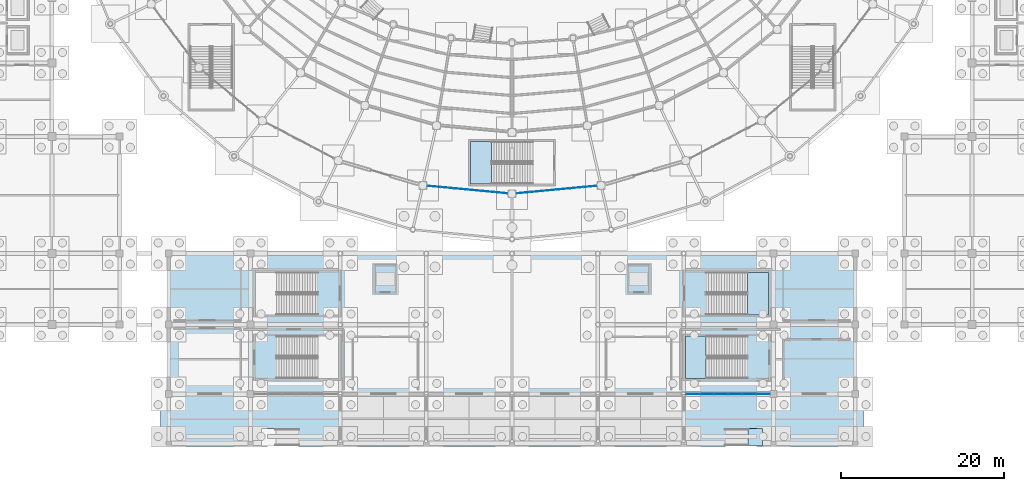
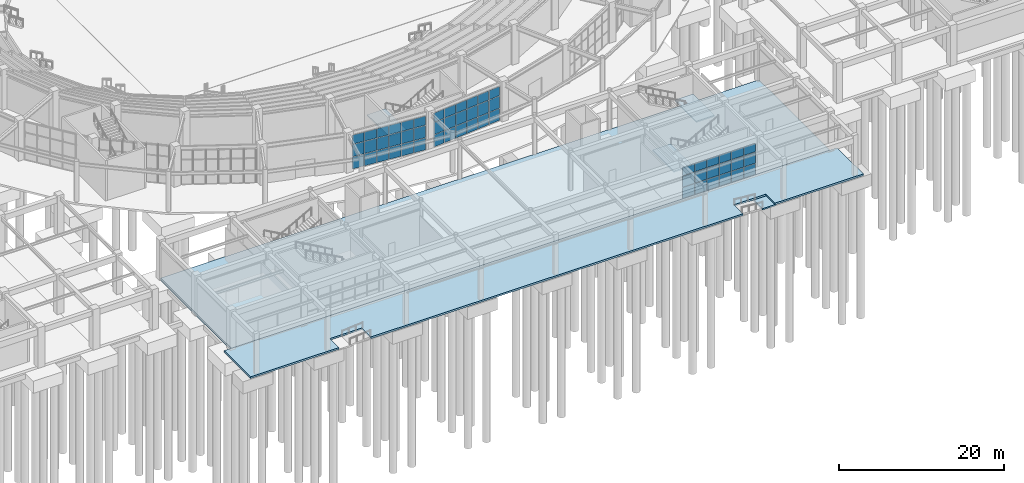
# One storey, part 66 of 121: 54 plates, 6 slabs, 7 elements without a shape of their own.
"""IFC4 building model written with IfcOpenShell, lengths in metres."""

from ifc_helpers import new_model, si_unit, direction, frame, origin, origin_2d, place, context, subcontext, project, spatial, polyline, rectangle, outline, extrude, material, layer, layer_set, type_object, element, aggregate, save


model = new_model("IFC4")

# Units and contexts
model_context = context("Model", 3, precision=1e-05, world=origin(), true_north=direction((0.0, 1.0)))
body_context = subcontext(model_context, "Body", "Model", "MODEL_VIEW")
ifc_project = project(units=[si_unit("LENGTHUNIT", "METRE"), si_unit("AREAUNIT", "SQUARE_METRE"), si_unit("VOLUMEUNIT", "CUBIC_METRE"), si_unit("PLANEANGLEUNIT", "RADIAN"), si_unit("MASSUNIT", "GRAM", prefix="KILO")], contexts=[model_context])

# Site, building, storey
site_placement = place(None, origin())
site = spatial("IfcSite", under=ifc_project, at=site_placement, CompositionType="ELEMENT")
building_placement = place(site_placement, origin())
building = spatial("IfcBuilding", under=site, at=building_placement, Name="Cuetzalor Civic Arena", CompositionType="ELEMENT")
storey_placement = place(building_placement, origin())
storey = spatial("IfcBuildingStorey", under=building, at=storey_placement, Name="L00", CompositionType="ELEMENT", Elevation=0.0)

# Curtain wall, plates
ifc_material_1 = material(Name="Anodised dark bronze aluminium and low-E solar glass", Category="aluminium")
curtain_wall_type_1 = type_object("IfcCurtainWallType", Name="UnitisedCW_9950x5150", PredefinedType="USERDEFINED", material=ifc_material_1)
curtain_wall_1_placement = place(storey_placement, origin())
curtain_wall_1 = element("IfcCurtainWall", 1, at=curtain_wall_1_placement, inside=storey, type_object=curtain_wall_type_1, Name="Drum Ground Recessed Concourse Curtain Wall L00-015", ObjectType="UNITISED CURTAIN WALL", PredefinedType="USERDEFINED")
ifc_material_2 = material(Name="Acoustic laminated solar control glass", Category="glass")
ifc_layer_1 = layer(ifc_material_2, 0.0439453125)
ifc_layer_set_1 = layer_set([ifc_layer_1], Name="Acoustic laminated solar control glass")
plate_type_1 = type_object("IfcPlateType", Name="AcousticTripleGlazedPanel_44", PredefinedType="CURTAIN_PANEL", material=ifc_layer_set_1)
plate_1_placement = place(storey_placement, frame((-1.340576171875, -40.87353515625, 0.070068359375), z_axis=(0.0, 0.0, 1.0), x_axis=(-0.995585155665, 0.093862654023, 0.0)))
plate_1 = element("IfcPlate", 2, at=plate_1_placement, type_object=plate_type_1, Name="CW-05 panel 1.1", PredefinedType="CURTAIN_PANEL", context=body_context, shape_type="SweptSolid", body=[
    extrude(rectangle(XDim=1.5537109375, YDim=0.0439453125, at=origin_2d()), origin(), (0.0, 0.0, 1.0), 1.751953125),
])
plate_2_placement = place(storey_placement, frame((-1.340576171875, -40.87353515625, 1.89208984375), z_axis=(0.0, 0.0, 1.0), x_axis=(-0.995585155665, 0.093862654023, 0.0)))
plate_2 = element("IfcPlate", 3, at=plate_2_placement, type_object=plate_type_1, Name="CW-05 panel 1.2", PredefinedType="CURTAIN_PANEL", context=body_context, shape_type="SweptSolid", body=[
    extrude(rectangle(XDim=1.5537109375, YDim=0.0439453125, at=origin_2d()), origin(), (0.0, 0.0, 1.0), 1.785888671875),
])
plate_3_placement = place(storey_placement, frame((-1.340576171875, -40.87353515625, 3.748046875), z_axis=(0.0, 0.0, 1.0), x_axis=(-0.995585155665, 0.093862654023, 0.0)))
plate_3 = element("IfcPlate", 4, at=plate_3_placement, type_object=plate_type_1, Name="CW-05 panel 1.3", PredefinedType="CURTAIN_PANEL", context=body_context, shape_type="SweptSolid", body=[
    extrude(rectangle(XDim=1.5537109375, YDim=0.0439453125, at=origin_2d()), origin(), (0.0, 0.0, 1.0), 1.339111328125),
])
plate_4_placement = place(storey_placement, frame((-2.974609375, -40.719482421875, 0.070068359375), z_axis=(0.0, 0.0, 1.0), x_axis=(-0.995585155665, 0.093862654023, 0.0)))
plate_4 = element("IfcPlate", 5, at=plate_4_placement, type_object=plate_type_1, Name="CW-05 panel 2.1", PredefinedType="CURTAIN_PANEL", context=body_context, shape_type="SweptSolid", body=[
    extrude(rectangle(XDim=1.5888671875, YDim=0.0439453125, at=origin_2d()), origin(), (0.0, 0.0, 1.0), 1.751953125),
])
plate_5_placement = place(storey_placement, frame((-2.974609375, -40.719482421875, 1.89208984375), z_axis=(0.0, 0.0, 1.0), x_axis=(-0.995585155665, 0.093862654023, 0.0)))
plate_5 = element("IfcPlate", 6, at=plate_5_placement, type_object=plate_type_1, Name="CW-05 panel 2.2", PredefinedType="CURTAIN_PANEL", context=body_context, shape_type="SweptSolid", body=[
    extrude(rectangle(XDim=1.5888671875, YDim=0.0439453125, at=origin_2d()), origin(), (0.0, 0.0, 1.0), 1.785888671875),
])
plate_6_placement = place(storey_placement, frame((-2.974609375, -40.719482421875, 3.748046875), z_axis=(0.0, 0.0, 1.0), x_axis=(-0.995585155665, 0.093862654023, 0.0)))
plate_6 = element("IfcPlate", 7, at=plate_6_placement, type_object=plate_type_1, Name="CW-05 panel 2.3", PredefinedType="CURTAIN_PANEL", context=body_context, shape_type="SweptSolid", body=[
    extrude(rectangle(XDim=1.5888671875, YDim=0.0439453125, at=origin_2d()), origin(), (0.0, 0.0, 1.0), 1.339111328125),
])
plate_7_placement = place(storey_placement, frame((-4.6259765625, -40.56396484375, 0.070068359375), z_axis=(0.0, 0.0, 1.0), x_axis=(-0.995585155665, 0.093862654023, 0.0)))
plate_7 = element("IfcPlate", 8, at=plate_7_placement, type_object=plate_type_1, Name="CW-05 panel 3.1", PredefinedType="CURTAIN_PANEL", context=body_context, shape_type="SweptSolid", body=[
    extrude(rectangle(XDim=1.5888671875, YDim=0.0439453125, at=origin_2d()), origin(), (0.0, 0.0, 1.0), 1.751953125),
])
plate_8_placement = place(storey_placement, frame((-4.6259765625, -40.56396484375, 1.89208984375), z_axis=(0.0, 0.0, 1.0), x_axis=(-0.995585155665, 0.093862654023, 0.0)))
plate_8 = element("IfcPlate", 9, at=plate_8_placement, type_object=plate_type_1, Name="CW-05 panel 3.2", PredefinedType="CURTAIN_PANEL", context=body_context, shape_type="SweptSolid", body=[
    extrude(rectangle(XDim=1.5888671875, YDim=0.0439453125, at=origin_2d()), origin(), (0.0, 0.0, 1.0), 1.785888671875),
])
plate_9_placement = place(storey_placement, frame((-4.6259765625, -40.56396484375, 3.748046875), z_axis=(0.0, 0.0, 1.0), x_axis=(-0.995585155665, 0.093862654023, 0.0)))
plate_9 = element("IfcPlate", 10, at=plate_9_placement, type_object=plate_type_1, Name="CW-05 panel 3.3", PredefinedType="CURTAIN_PANEL", context=body_context, shape_type="SweptSolid", body=[
    extrude(rectangle(XDim=1.5888671875, YDim=0.0439453125, at=origin_2d()), origin(), (0.0, 0.0, 1.0), 1.339111328125),
])
plate_10_placement = place(storey_placement, frame((-6.277587890625, -40.408203125, 0.070068359375), z_axis=(0.0, 0.0, 1.0), x_axis=(-0.995585155665, 0.093862654023, 0.0)))
plate_10 = element("IfcPlate", 11, at=plate_10_placement, type_object=plate_type_1, Name="CW-05 panel 4.1", PredefinedType="CURTAIN_PANEL", context=body_context, shape_type="SweptSolid", body=[
    extrude(rectangle(XDim=1.5888671875, YDim=0.0439453125, at=origin_2d()), origin(), (0.0, 0.0, 1.0), 1.751953125),
])
plate_11_placement = place(storey_placement, frame((-6.277587890625, -40.408203125, 1.89208984375), z_axis=(0.0, 0.0, 1.0), x_axis=(-0.995585155665, 0.093862654023, 0.0)))
plate_11 = element("IfcPlate", 12, at=plate_11_placement, type_object=plate_type_1, Name="CW-05 panel 4.2", PredefinedType="CURTAIN_PANEL", context=body_context, shape_type="SweptSolid", body=[
    extrude(rectangle(XDim=1.5888671875, YDim=0.0439453125, at=origin_2d()), origin(), (0.0, 0.0, 1.0), 1.785888671875),
])
plate_12_placement = place(storey_placement, frame((-6.277587890625, -40.408203125, 3.748046875), z_axis=(0.0, 0.0, 1.0), x_axis=(-0.995585155665, 0.093862654023, 0.0)))
plate_12 = element("IfcPlate", 13, at=plate_12_placement, type_object=plate_type_1, Name="CW-05 panel 4.3", PredefinedType="CURTAIN_PANEL", context=body_context, shape_type="SweptSolid", body=[
    extrude(rectangle(XDim=1.5888671875, YDim=0.0439453125, at=origin_2d()), origin(), (0.0, 0.0, 1.0), 1.339111328125),
])
plate_13_placement = place(storey_placement, frame((-7.928955078125, -40.25244140625, 0.070068359375), z_axis=(0.0, 0.0, 1.0), x_axis=(-0.995585155665, 0.093862654023, 0.0)))
plate_13 = element("IfcPlate", 14, at=plate_13_placement, type_object=plate_type_1, Name="CW-05 panel 5.1", PredefinedType="CURTAIN_PANEL", context=body_context, shape_type="SweptSolid", body=[
    extrude(rectangle(XDim=1.5888671875, YDim=0.0439453125, at=origin_2d()), origin(), (0.0, 0.0, 1.0), 1.751953125),
])
plate_14_placement = place(storey_placement, frame((-7.928955078125, -40.25244140625, 1.89208984375), z_axis=(0.0, 0.0, 1.0), x_axis=(-0.995585155665, 0.093862654023, 0.0)))
plate_14 = element("IfcPlate", 15, at=plate_14_placement, type_object=plate_type_1, Name="CW-05 panel 5.2", PredefinedType="CURTAIN_PANEL", context=body_context, shape_type="SweptSolid", body=[
    extrude(rectangle(XDim=1.5888671875, YDim=0.0439453125, at=origin_2d()), origin(), (0.0, 0.0, 1.0), 1.785888671875),
])
plate_15_placement = place(storey_placement, frame((-7.928955078125, -40.25244140625, 3.748046875), z_axis=(0.0, 0.0, 1.0), x_axis=(-0.995585155665, 0.093862654023, 0.0)))
plate_15 = element("IfcPlate", 16, at=plate_15_placement, type_object=plate_type_1, Name="CW-05 panel 5.3", PredefinedType="CURTAIN_PANEL", context=body_context, shape_type="SweptSolid", body=[
    extrude(rectangle(XDim=1.5888671875, YDim=0.0439453125, at=origin_2d()), origin(), (0.0, 0.0, 1.0), 1.339111328125),
])
plate_16_placement = place(storey_placement, frame((-9.56298828125, -40.098388671875, 0.070068359375), z_axis=(0.0, 0.0, 1.0), x_axis=(-0.995585155665, 0.093862654023, 0.0)))
plate_16 = element("IfcPlate", 17, at=plate_16_placement, type_object=plate_type_1, Name="CW-05 panel 6.1", PredefinedType="CURTAIN_PANEL", context=body_context, shape_type="SweptSolid", body=[
    extrude(rectangle(XDim=1.5537109375, YDim=0.0439453125, at=origin_2d()), origin(), (0.0, 0.0, 1.0), 1.751953125),
])
plate_17_placement = place(storey_placement, frame((-9.56298828125, -40.098388671875, 1.89208984375), z_axis=(0.0, 0.0, 1.0), x_axis=(-0.995585155665, 0.093862654023, 0.0)))
plate_17 = element("IfcPlate", 18, at=plate_17_placement, type_object=plate_type_1, Name="CW-05 panel 6.2", PredefinedType="CURTAIN_PANEL", context=body_context, shape_type="SweptSolid", body=[
    extrude(rectangle(XDim=1.5537109375, YDim=0.0439453125, at=origin_2d()), origin(), (0.0, 0.0, 1.0), 1.785888671875),
])
plate_18_placement = place(storey_placement, frame((-9.56298828125, -40.098388671875, 3.748046875), z_axis=(0.0, 0.0, 1.0), x_axis=(-0.995585155665, 0.093862654023, 0.0)))
plate_18 = element("IfcPlate", 19, at=plate_18_placement, type_object=plate_type_1, Name="CW-05 panel 6.3", PredefinedType="CURTAIN_PANEL", context=body_context, shape_type="SweptSolid", body=[
    extrude(rectangle(XDim=1.5537109375, YDim=0.0439453125, at=origin_2d()), origin(), (0.0, 0.0, 1.0), 1.339111328125),
])
aggregate(curtain_wall_1, [plate_1, plate_2, plate_3, plate_4, plate_5, plate_6, plate_7, plate_8, plate_9, plate_10, plate_11, plate_12, plate_13, plate_14, plate_15, plate_16, plate_17, plate_18])

curtain_wall_2_placement = place(storey_placement, origin())
curtain_wall_2 = element("IfcCurtainWall", 20, at=curtain_wall_2_placement, inside=storey, type_object=curtain_wall_type_1, Name="Drum Ground Recessed Concourse Curtain Wall L00-016", ObjectType="UNITISED CURTAIN WALL", PredefinedType="USERDEFINED")
plate_19_placement = place(storey_placement, frame((9.56298828125, -40.098388671875, 0.070068359375), z_axis=(0.0, 0.0, 1.0), x_axis=(-0.995585155665, -0.093862654023, 0.0)))
plate_19 = element("IfcPlate", 21, at=plate_19_placement, type_object=plate_type_1, Name="CW-05 panel 1.1", PredefinedType="CURTAIN_PANEL", context=body_context, shape_type="SweptSolid", body=[
    extrude(rectangle(XDim=1.5537109375, YDim=0.0439453125, at=origin_2d()), origin(), (0.0, 0.0, 1.0), 1.751953125),
])
plate_20_placement = place(storey_placement, frame((9.56298828125, -40.098388671875, 1.89208984375), z_axis=(0.0, 0.0, 1.0), x_axis=(-0.995585155665, -0.093862654023, 0.0)))
plate_20 = element("IfcPlate", 22, at=plate_20_placement, type_object=plate_type_1, Name="CW-05 panel 1.2", PredefinedType="CURTAIN_PANEL", context=body_context, shape_type="SweptSolid", body=[
    extrude(rectangle(XDim=1.5537109375, YDim=0.0439453125, at=origin_2d()), origin(), (0.0, 0.0, 1.0), 1.785888671875),
])
plate_21_placement = place(storey_placement, frame((9.56298828125, -40.098388671875, 3.748046875), z_axis=(0.0, 0.0, 1.0), x_axis=(-0.995585155665, -0.093862654023, 0.0)))
plate_21 = element("IfcPlate", 23, at=plate_21_placement, type_object=plate_type_1, Name="CW-05 panel 1.3", PredefinedType="CURTAIN_PANEL", context=body_context, shape_type="SweptSolid", body=[
    extrude(rectangle(XDim=1.5537109375, YDim=0.0439453125, at=origin_2d()), origin(), (0.0, 0.0, 1.0), 1.339111328125),
])
plate_22_placement = place(storey_placement, frame((7.928955078125, -40.25244140625, 0.070068359375), z_axis=(0.0, 0.0, 1.0), x_axis=(-0.995585155665, -0.093862654023, 0.0)))
plate_22 = element("IfcPlate", 24, at=plate_22_placement, type_object=plate_type_1, Name="CW-05 panel 2.1", PredefinedType="CURTAIN_PANEL", context=body_context, shape_type="SweptSolid", body=[
    extrude(rectangle(XDim=1.5888671875, YDim=0.0439453125, at=origin_2d()), origin(), (0.0, 0.0, 1.0), 1.751953125),
])
plate_23_placement = place(storey_placement, frame((7.928955078125, -40.25244140625, 1.89208984375), z_axis=(0.0, 0.0, 1.0), x_axis=(-0.995585155665, -0.093862654023, 0.0)))
plate_23 = element("IfcPlate", 25, at=plate_23_placement, type_object=plate_type_1, Name="CW-05 panel 2.2", PredefinedType="CURTAIN_PANEL", context=body_context, shape_type="SweptSolid", body=[
    extrude(rectangle(XDim=1.5888671875, YDim=0.0439453125, at=origin_2d()), origin(), (0.0, 0.0, 1.0), 1.785888671875),
])
plate_24_placement = place(storey_placement, frame((7.928955078125, -40.25244140625, 3.748046875), z_axis=(0.0, 0.0, 1.0), x_axis=(-0.995585155665, -0.093862654023, 0.0)))
plate_24 = element("IfcPlate", 26, at=plate_24_placement, type_object=plate_type_1, Name="CW-05 panel 2.3", PredefinedType="CURTAIN_PANEL", context=body_context, shape_type="SweptSolid", body=[
    extrude(rectangle(XDim=1.5888671875, YDim=0.0439453125, at=origin_2d()), origin(), (0.0, 0.0, 1.0), 1.339111328125),
])
plate_25_placement = place(storey_placement, frame((6.277587890625, -40.408203125, 0.070068359375), z_axis=(0.0, 0.0, 1.0), x_axis=(-0.995585155665, -0.093862654023, 0.0)))
plate_25 = element("IfcPlate", 27, at=plate_25_placement, type_object=plate_type_1, Name="CW-05 panel 3.1", PredefinedType="CURTAIN_PANEL", context=body_context, shape_type="SweptSolid", body=[
    extrude(rectangle(XDim=1.5888671875, YDim=0.0439453125, at=origin_2d()), origin(), (0.0, 0.0, 1.0), 1.751953125),
])
plate_26_placement = place(storey_placement, frame((6.277587890625, -40.408203125, 1.89208984375), z_axis=(0.0, 0.0, 1.0), x_axis=(-0.995585155665, -0.093862654023, 0.0)))
plate_26 = element("IfcPlate", 28, at=plate_26_placement, type_object=plate_type_1, Name="CW-05 panel 3.2", PredefinedType="CURTAIN_PANEL", context=body_context, shape_type="SweptSolid", body=[
    extrude(rectangle(XDim=1.5888671875, YDim=0.0439453125, at=origin_2d()), origin(), (0.0, 0.0, 1.0), 1.785888671875),
])
plate_27_placement = place(storey_placement, frame((6.277587890625, -40.408203125, 3.748046875), z_axis=(0.0, 0.0, 1.0), x_axis=(-0.995585155665, -0.093862654023, 0.0)))
plate_27 = element("IfcPlate", 29, at=plate_27_placement, type_object=plate_type_1, Name="CW-05 panel 3.3", PredefinedType="CURTAIN_PANEL", context=body_context, shape_type="SweptSolid", body=[
    extrude(rectangle(XDim=1.5888671875, YDim=0.0439453125, at=origin_2d()), origin(), (0.0, 0.0, 1.0), 1.339111328125),
])
plate_28_placement = place(storey_placement, frame((4.6259765625, -40.56396484375, 0.070068359375), z_axis=(0.0, 0.0, 1.0), x_axis=(-0.995585155665, -0.093862654023, 0.0)))
plate_28 = element("IfcPlate", 30, at=plate_28_placement, type_object=plate_type_1, Name="CW-05 panel 4.1", PredefinedType="CURTAIN_PANEL", context=body_context, shape_type="SweptSolid", body=[
    extrude(rectangle(XDim=1.5888671875, YDim=0.0439453125, at=origin_2d()), origin(), (0.0, 0.0, 1.0), 1.751953125),
])
plate_29_placement = place(storey_placement, frame((4.6259765625, -40.56396484375, 1.89208984375), z_axis=(0.0, 0.0, 1.0), x_axis=(-0.995585155665, -0.093862654023, 0.0)))
plate_29 = element("IfcPlate", 31, at=plate_29_placement, type_object=plate_type_1, Name="CW-05 panel 4.2", PredefinedType="CURTAIN_PANEL", context=body_context, shape_type="SweptSolid", body=[
    extrude(rectangle(XDim=1.5888671875, YDim=0.0439453125, at=origin_2d()), origin(), (0.0, 0.0, 1.0), 1.785888671875),
])
plate_30_placement = place(storey_placement, frame((4.6259765625, -40.56396484375, 3.748046875), z_axis=(0.0, 0.0, 1.0), x_axis=(-0.995585155665, -0.093862654023, 0.0)))
plate_30 = element("IfcPlate", 32, at=plate_30_placement, type_object=plate_type_1, Name="CW-05 panel 4.3", PredefinedType="CURTAIN_PANEL", context=body_context, shape_type="SweptSolid", body=[
    extrude(rectangle(XDim=1.5888671875, YDim=0.0439453125, at=origin_2d()), origin(), (0.0, 0.0, 1.0), 1.339111328125),
])
plate_31_placement = place(storey_placement, frame((2.974609375, -40.719482421875, 0.070068359375), z_axis=(0.0, 0.0, 1.0), x_axis=(-0.995585155665, -0.093862654023, 0.0)))
plate_31 = element("IfcPlate", 33, at=plate_31_placement, type_object=plate_type_1, Name="CW-05 panel 5.1", PredefinedType="CURTAIN_PANEL", context=body_context, shape_type="SweptSolid", body=[
    extrude(rectangle(XDim=1.5888671875, YDim=0.0439453125, at=origin_2d()), origin(), (0.0, 0.0, 1.0), 1.751953125),
])
plate_32_placement = place(storey_placement, frame((2.974609375, -40.719482421875, 1.89208984375), z_axis=(0.0, 0.0, 1.0), x_axis=(-0.995585155665, -0.093862654023, 0.0)))
plate_32 = element("IfcPlate", 34, at=plate_32_placement, type_object=plate_type_1, Name="CW-05 panel 5.2", PredefinedType="CURTAIN_PANEL", context=body_context, shape_type="SweptSolid", body=[
    extrude(rectangle(XDim=1.5888671875, YDim=0.0439453125, at=origin_2d()), origin(), (0.0, 0.0, 1.0), 1.785888671875),
])
plate_33_placement = place(storey_placement, frame((2.974609375, -40.719482421875, 3.748046875), z_axis=(0.0, 0.0, 1.0), x_axis=(-0.995585155665, -0.093862654023, 0.0)))
plate_33 = element("IfcPlate", 35, at=plate_33_placement, type_object=plate_type_1, Name="CW-05 panel 5.3", PredefinedType="CURTAIN_PANEL", context=body_context, shape_type="SweptSolid", body=[
    extrude(rectangle(XDim=1.5888671875, YDim=0.0439453125, at=origin_2d()), origin(), (0.0, 0.0, 1.0), 1.339111328125),
])
plate_34_placement = place(storey_placement, frame((1.340576171875, -40.87353515625, 0.070068359375), z_axis=(0.0, 0.0, 1.0), x_axis=(-0.995585155665, -0.093862654023, 0.0)))
plate_34 = element("IfcPlate", 36, at=plate_34_placement, type_object=plate_type_1, Name="CW-05 panel 6.1", PredefinedType="CURTAIN_PANEL", context=body_context, shape_type="SweptSolid", body=[
    extrude(rectangle(XDim=1.5537109375, YDim=0.0439453125, at=origin_2d()), origin(), (0.0, 0.0, 1.0), 1.751953125),
])
plate_35_placement = place(storey_placement, frame((1.340576171875, -40.87353515625, 1.89208984375), z_axis=(0.0, 0.0, 1.0), x_axis=(-0.995585155665, -0.093862654023, 0.0)))
plate_35 = element("IfcPlate", 37, at=plate_35_placement, type_object=plate_type_1, Name="CW-05 panel 6.2", PredefinedType="CURTAIN_PANEL", context=body_context, shape_type="SweptSolid", body=[
    extrude(rectangle(XDim=1.5537109375, YDim=0.0439453125, at=origin_2d()), origin(), (0.0, 0.0, 1.0), 1.785888671875),
])
plate_36_placement = place(storey_placement, frame((1.340576171875, -40.87353515625, 3.748046875), z_axis=(0.0, 0.0, 1.0), x_axis=(-0.995585155665, -0.093862654023, 0.0)))
plate_36 = element("IfcPlate", 38, at=plate_36_placement, type_object=plate_type_1, Name="CW-05 panel 6.3", PredefinedType="CURTAIN_PANEL", context=body_context, shape_type="SweptSolid", body=[
    extrude(rectangle(XDim=1.5537109375, YDim=0.0439453125, at=origin_2d()), origin(), (0.0, 0.0, 1.0), 1.339111328125),
])
aggregate(curtain_wall_2, [plate_19, plate_20, plate_21, plate_22, plate_23, plate_24, plate_25, plate_26, plate_27, plate_28, plate_29, plate_30, plate_31, plate_32, plate_33, plate_34, plate_35, plate_36])

# Slabs
ifc_material_3 = material(Name="Concrete C35/45", Category="concrete")
ifc_layer_2 = layer(ifc_material_3, 0.260009765625)
ifc_layer_set_2 = layer_set([ifc_layer_2], Name="Concrete C35/45")
slab_type_1 = type_object("IfcSlabType", Name="ExteriorPlazaSlab_240", PredefinedType="BASESLAB", material=ifc_layer_set_2)
slab_1_placement = place(storey_placement, frame((0.0, 0.0, -0.260009765625)))
element("IfcSlab", 39, at=slab_1_placement, inside=storey, type_object=slab_type_1, Name="Exterior South Civic Square Colonnade Paving", PredefinedType="BASESLAB", context=body_context, shape_type="SweptSolid", body=[
    extrude(outline(polyline([(-43.0, -65.5), (43.0, -65.5), (43.0, -71.89990234375), (30.60009765625, -71.89990234375), (30.60009765625, -69.699951171875), (26.1201171875, -69.699951171875), (26.1201171875, -71.89990234375), (-26.1201171875, -71.89990234375), (-26.1201171875, -69.699951171875), (-30.60009765625, -69.699951171875), (-30.60009765625, -71.89990234375), (-43.0, -71.89990234375), (-43.0, -65.5)])), origin(), (0.0, 0.0, 1.0), 0.260009765625),
])
ifc_material_4 = material(Name="Concrete C35/45", Category="concrete")
ifc_layer_3 = layer(ifc_material_4, 0.35009765625)
ifc_layer_set_3 = layer_set([ifc_layer_3], Name="Concrete C35/45")
slab_type_2 = type_object("IfcSlabType", Name="GroundBaseSlab_350", PredefinedType="BASESLAB", material=ifc_layer_set_3)
slab_2_placement = place(storey_placement, frame((0.0, 0.0, -0.35009765625)))
element("IfcSlab", 40, at=slab_2_placement, inside=storey, type_object=slab_type_2, Name="South Civic Foyer Ground Base Slab", PredefinedType="BASESLAB", context=body_context, shape_type="SweptSolid", body=[
    extrude(outline(polyline([(-42.0, -65.5), (42.0, -65.5), (42.0, -48.300048828125), (-42.0, -48.300048828125), (-42.0, -65.5)])), origin(), (0.0, 0.0, 1.0), 0.35009765625),
])

# Curtain wall, plates
ifc_material_5 = material(Name="Anodised dark bronze aluminium and low-E solar glass", Category="aluminium")
curtain_wall_type_2 = type_object("IfcCurtainWallType", Name="StickCW_10350x4750", PredefinedType="USERDEFINED", material=ifc_material_5)
curtain_wall_3_placement = place(storey_placement, origin())
curtain_wall_3 = element("IfcCurtainWall", 41, at=curtain_wall_3_placement, inside=storey, type_object=curtain_wall_type_2, Name="South Foyer Arcade Curtain Wall L00-082", ObjectType="STICK CURTAIN WALL", PredefinedType="USERDEFINED")
ifc_material_6 = material(Name="Low-E laminated solar control glass", Category="glass")
ifc_layer_4 = layer(ifc_material_6, 0.031982421875)
ifc_layer_set_4 = layer_set([ifc_layer_4], Name="Low-E laminated solar control glass")
plate_type_2 = type_object("IfcPlateType", Name="SolarControlGlazedPanel_32", PredefinedType="CURTAIN_PANEL", material=ifc_layer_set_4)
plate_37_placement = place(storey_placement, frame((30.714599609375, -65.5, 0.070068359375), z_axis=(0.0, 0.0, 1.0), x_axis=(-1.0, 0.0, 0.0)))
plate_37 = element("IfcPlate", 42, at=plate_37_placement, type_object=plate_type_2, Name="CW-24 panel 1.1", PredefinedType="CURTAIN_PANEL", context=body_context, shape_type="SweptSolid", body=[
    extrude(rectangle(XDim=1.616943359375, YDim=0.031982421875, at=origin_2d()), origin(), (0.0, 0.0, 1.0), 1.60107421875),
])
plate_38_placement = place(storey_placement, frame((30.714599609375, -65.5, 1.7412109375), z_axis=(0.0, 0.0, 1.0), x_axis=(-1.0, 0.0, 0.0)))
plate_38 = element("IfcPlate", 43, at=plate_38_placement, type_object=plate_type_2, Name="CW-24 panel 1.2", PredefinedType="CURTAIN_PANEL", context=body_context, shape_type="SweptSolid", body=[
    extrude(rectangle(XDim=1.616943359375, YDim=0.031982421875, at=origin_2d()), origin(), (0.0, 0.0, 1.0), 1.636962890625),
])
plate_39_placement = place(storey_placement, frame((30.714599609375, -65.5, 3.4482421875), z_axis=(0.0, 0.0, 1.0), x_axis=(-1.0, 0.0, 0.0)))
plate_39 = element("IfcPlate", 44, at=plate_39_placement, type_object=plate_type_2, Name="CW-24 panel 1.3", PredefinedType="CURTAIN_PANEL", context=body_context, shape_type="SweptSolid", body=[
    extrude(rectangle(XDim=1.616943359375, YDim=0.031982421875, at=origin_2d()), origin(), (0.0, 0.0, 1.0), 1.221923828125),
])
plate_40_placement = place(storey_placement, frame((29.010009765625, -65.5, 0.070068359375), z_axis=(0.0, 0.0, 1.0), x_axis=(-1.0, 0.0, 0.0)))
plate_40 = element("IfcPlate", 45, at=plate_40_placement, type_object=plate_type_2, Name="CW-24 panel 2.1", PredefinedType="CURTAIN_PANEL", context=body_context, shape_type="SweptSolid", body=[
    extrude(rectangle(XDim=1.65185546875, YDim=0.031982421875, at=origin_2d()), origin(), (0.0, 0.0, 1.0), 1.60107421875),
])
plate_41_placement = place(storey_placement, frame((29.010009765625, -65.5, 1.7412109375), z_axis=(0.0, 0.0, 1.0), x_axis=(-1.0, 0.0, 0.0)))
plate_41 = element("IfcPlate", 46, at=plate_41_placement, type_object=plate_type_2, Name="CW-24 panel 2.2", PredefinedType="CURTAIN_PANEL", context=body_context, shape_type="SweptSolid", body=[
    extrude(rectangle(XDim=1.65185546875, YDim=0.031982421875, at=origin_2d()), origin(), (0.0, 0.0, 1.0), 1.636962890625),
])
plate_42_placement = place(storey_placement, frame((29.010009765625, -65.5, 3.4482421875), z_axis=(0.0, 0.0, 1.0), x_axis=(-1.0, 0.0, 0.0)))
plate_42 = element("IfcPlate", 47, at=plate_42_placement, type_object=plate_type_2, Name="CW-24 panel 2.3", PredefinedType="CURTAIN_PANEL", context=body_context, shape_type="SweptSolid", body=[
    extrude(rectangle(XDim=1.65185546875, YDim=0.031982421875, at=origin_2d()), origin(), (0.0, 0.0, 1.0), 1.221923828125),
])
plate_43_placement = place(storey_placement, frame((27.288330078125, -65.5, 0.070068359375), z_axis=(0.0, 0.0, 1.0), x_axis=(-1.0, 0.0, 0.0)))
plate_43 = element("IfcPlate", 48, at=plate_43_placement, type_object=plate_type_2, Name="CW-24 panel 3.1", PredefinedType="CURTAIN_PANEL", context=body_context, shape_type="SweptSolid", body=[
    extrude(rectangle(XDim=1.65185546875, YDim=0.031982421875, at=origin_2d()), origin(), (0.0, 0.0, 1.0), 1.60107421875),
])
plate_44_placement = place(storey_placement, frame((27.288330078125, -65.5, 1.7412109375), z_axis=(0.0, 0.0, 1.0), x_axis=(-1.0, 0.0, 0.0)))
plate_44 = element("IfcPlate", 49, at=plate_44_placement, type_object=plate_type_2, Name="CW-24 panel 3.2", PredefinedType="CURTAIN_PANEL", context=body_context, shape_type="SweptSolid", body=[
    extrude(rectangle(XDim=1.65185546875, YDim=0.031982421875, at=origin_2d()), origin(), (0.0, 0.0, 1.0), 1.636962890625),
])
plate_45_placement = place(storey_placement, frame((27.288330078125, -65.5, 3.4482421875), z_axis=(0.0, 0.0, 1.0), x_axis=(-1.0, 0.0, 0.0)))
plate_45 = element("IfcPlate", 50, at=plate_45_placement, type_object=plate_type_2, Name="CW-24 panel 3.3", PredefinedType="CURTAIN_PANEL", context=body_context, shape_type="SweptSolid", body=[
    extrude(rectangle(XDim=1.65185546875, YDim=0.031982421875, at=origin_2d()), origin(), (0.0, 0.0, 1.0), 1.221923828125),
])
plate_46_placement = place(storey_placement, frame((25.56640625, -65.5, 0.070068359375), z_axis=(0.0, 0.0, 1.0), x_axis=(-1.0, 0.0, 0.0)))
plate_46 = element("IfcPlate", 51, at=plate_46_placement, type_object=plate_type_2, Name="CW-24 panel 4.1", PredefinedType="CURTAIN_PANEL", context=body_context, shape_type="SweptSolid", body=[
    extrude(rectangle(XDim=1.65185546875, YDim=0.031982421875, at=origin_2d()), origin(), (0.0, 0.0, 1.0), 1.60107421875),
])
plate_47_placement = place(storey_placement, frame((25.56640625, -65.5, 1.7412109375), z_axis=(0.0, 0.0, 1.0), x_axis=(-1.0, 0.0, 0.0)))
plate_47 = element("IfcPlate", 52, at=plate_47_placement, type_object=plate_type_2, Name="CW-24 panel 4.2", PredefinedType="CURTAIN_PANEL", context=body_context, shape_type="SweptSolid", body=[
    extrude(rectangle(XDim=1.65185546875, YDim=0.031982421875, at=origin_2d()), origin(), (0.0, 0.0, 1.0), 1.636962890625),
])
plate_48_placement = place(storey_placement, frame((25.56640625, -65.5, 3.4482421875), z_axis=(0.0, 0.0, 1.0), x_axis=(-1.0, 0.0, 0.0)))
plate_48 = element("IfcPlate", 53, at=plate_48_placement, type_object=plate_type_2, Name="CW-24 panel 4.3", PredefinedType="CURTAIN_PANEL", context=body_context, shape_type="SweptSolid", body=[
    extrude(rectangle(XDim=1.65185546875, YDim=0.031982421875, at=origin_2d()), origin(), (0.0, 0.0, 1.0), 1.221923828125),
])
plate_49_placement = place(storey_placement, frame((23.844482421875, -65.5, 0.070068359375), z_axis=(0.0, 0.0, 1.0), x_axis=(-1.0, 0.0, 0.0)))
plate_49 = element("IfcPlate", 54, at=plate_49_placement, type_object=plate_type_2, Name="CW-24 panel 5.1", PredefinedType="CURTAIN_PANEL", context=body_context, shape_type="SweptSolid", body=[
    extrude(rectangle(XDim=1.65185546875, YDim=0.031982421875, at=origin_2d()), origin(), (0.0, 0.0, 1.0), 1.60107421875),
])
plate_50_placement = place(storey_placement, frame((23.844482421875, -65.5, 1.7412109375), z_axis=(0.0, 0.0, 1.0), x_axis=(-1.0, 0.0, 0.0)))
plate_50 = element("IfcPlate", 55, at=plate_50_placement, type_object=plate_type_2, Name="CW-24 panel 5.2", PredefinedType="CURTAIN_PANEL", context=body_context, shape_type="SweptSolid", body=[
    extrude(rectangle(XDim=1.65185546875, YDim=0.031982421875, at=origin_2d()), origin(), (0.0, 0.0, 1.0), 1.636962890625),
])
plate_51_placement = place(storey_placement, frame((23.844482421875, -65.5, 3.4482421875), z_axis=(0.0, 0.0, 1.0), x_axis=(-1.0, 0.0, 0.0)))
plate_51 = element("IfcPlate", 56, at=plate_51_placement, type_object=plate_type_2, Name="CW-24 panel 5.3", PredefinedType="CURTAIN_PANEL", context=body_context, shape_type="SweptSolid", body=[
    extrude(rectangle(XDim=1.65185546875, YDim=0.031982421875, at=origin_2d()), origin(), (0.0, 0.0, 1.0), 1.221923828125),
])
plate_52_placement = place(storey_placement, frame((22.139892578125, -65.5, 0.070068359375), z_axis=(0.0, 0.0, 1.0), x_axis=(-1.0, 0.0, 0.0)))
plate_52 = element("IfcPlate", 57, at=plate_52_placement, type_object=plate_type_2, Name="CW-24 panel 6.1", PredefinedType="CURTAIN_PANEL", context=body_context, shape_type="SweptSolid", body=[
    extrude(rectangle(XDim=1.616943359375, YDim=0.031982421875, at=origin_2d()), origin(), (0.0, 0.0, 1.0), 1.60107421875),
])
plate_53_placement = place(storey_placement, frame((22.139892578125, -65.5, 1.7412109375), z_axis=(0.0, 0.0, 1.0), x_axis=(-1.0, 0.0, 0.0)))
plate_53 = element("IfcPlate", 58, at=plate_53_placement, type_object=plate_type_2, Name="CW-24 panel 6.2", PredefinedType="CURTAIN_PANEL", context=body_context, shape_type="SweptSolid", body=[
    extrude(rectangle(XDim=1.616943359375, YDim=0.031982421875, at=origin_2d()), origin(), (0.0, 0.0, 1.0), 1.636962890625),
])
plate_54_placement = place(storey_placement, frame((22.139892578125, -65.5, 3.4482421875), z_axis=(0.0, 0.0, 1.0), x_axis=(-1.0, 0.0, 0.0)))
plate_54 = element("IfcPlate", 59, at=plate_54_placement, type_object=plate_type_2, Name="CW-24 panel 6.3", PredefinedType="CURTAIN_PANEL", context=body_context, shape_type="SweptSolid", body=[
    extrude(rectangle(XDim=1.616943359375, YDim=0.031982421875, at=origin_2d()), origin(), (0.0, 0.0, 1.0), 1.221923828125),
])
aggregate(curtain_wall_3, [plate_37, plate_38, plate_39, plate_40, plate_41, plate_42, plate_43, plate_44, plate_45, plate_46, plate_47, plate_48, plate_49, plate_50, plate_51, plate_52, plate_53, plate_54])

# Stair, slab
ifc_material_7 = material(Name="Precast concrete C40/50", Category="concrete")
stair_type = type_object("IfcStairType", Name="EnclosedExitStair_H600", PredefinedType="HALF_TURN_STAIR", material=ifc_material_7)
stair_1_placement = place(storey_placement, origin())
stair_1 = element("IfcStair", 60, at=stair_1_placement, inside=storey, type_object=stair_type, Name="L00 Enclosed Exit Stair ST-07", PredefinedType="HALF_TURN_STAIR")
ifc_material_8 = material(Name="Concrete C40/50", Category="concrete")
ifc_layer_5 = layer(ifc_material_8, 0.199951171875)
ifc_layer_set_5 = layer_set([ifc_layer_5], Name="Concrete C40/50")
slab_type_3 = type_object("IfcSlabType", Name="StairHalfLandingSlab_200", PredefinedType="LANDING", material=ifc_layer_set_5)
slab_3_placement = place(storey_placement, frame((0.0, 0.0, 2.800048828125)))
slab_3 = element("IfcSlab", 61, at=slab_3_placement, type_object=slab_type_3, Name="ST-07 landing 1", PredefinedType="LANDING", context=body_context, shape_type="SweptSolid", body=[
    extrude(outline(polyline([(-2.5380859375, -34.60009765625), (-5.10009765625, -34.60009765625), (-5.10009765625, -39.800048828125), (-2.5380859375, -39.800048828125), (-2.5380859375, -34.60009765625)])), origin(), (0.0, 0.0, 1.0), 0.199951171875),
])
aggregate(stair_1, [slab_3])

stair_2_placement = place(storey_placement, origin())
stair_2 = element("IfcStair", 62, at=stair_2_placement, inside=storey, type_object=stair_type, Name="L00 Enclosed Exit Stair ST-11", PredefinedType="HALF_TURN_STAIR")
slab_4_placement = place(storey_placement, frame((0.0, 0.0, 2.800048828125)))
slab_4 = element("IfcSlab", 63, at=slab_4_placement, type_object=slab_type_3, Name="ST-11 landing 1", PredefinedType="LANDING", context=body_context, shape_type="SweptSolid", body=[
    extrude(outline(polyline([(28.837890625, -55.800048828125), (31.39990234375, -55.800048828125), (31.39990234375, -50.60009765625), (28.837890625, -50.60009765625), (28.837890625, -55.800048828125)])), origin(), (0.0, 0.0, 1.0), 0.199951171875),
])
aggregate(stair_2, [slab_4])

stair_3_placement = place(storey_placement, origin())
stair_3 = element("IfcStair", 64, at=stair_3_placement, inside=storey, type_object=stair_type, Name="L00 Enclosed Exit Stair ST-12", PredefinedType="HALF_TURN_STAIR")
slab_5_placement = place(storey_placement, frame((0.0, 0.0, 2.800048828125)))
slab_5 = element("IfcSlab", 65, at=slab_5_placement, type_object=slab_type_3, Name="ST-12 landing 1", PredefinedType="LANDING", context=body_context, shape_type="SweptSolid", body=[
    extrude(outline(polyline([(23.761962890625, -58.39990234375), (21.199951171875, -58.39990234375), (21.199951171875, -63.60009765625), (23.761962890625, -63.60009765625), (23.761962890625, -58.39990234375)])), origin(), (0.0, 0.0, 1.0), 0.199951171875),
])
aggregate(stair_3, [slab_5])

# Ramp, slab
ifc_material_9 = material(Name="Concrete C35/45 bush-hammered", Category="concrete")
ramp_type = type_object("IfcRampType", Name="AccessibleColonnadeRamp_1in12", PredefinedType="STRAIGHT_RUN_RAMP", material=ifc_material_9)
ramp_placement = place(storey_placement, origin())
ramp = element("IfcRamp", 66, at=ramp_placement, inside=storey, type_object=ramp_type, Name="Accessible Colonnade Plaza Ramp RMP-S2", PredefinedType="STRAIGHT_RUN_RAMP")
slab_6_placement = place(storey_placement, frame((0.0, 0.0, -0.43994140625)))
slab_6 = element("IfcSlab", 67, at=slab_6_placement, type_object=slab_type_3, Name="Accessible Colonnade Ramp Approach Landing RMP-S2", PredefinedType="LANDING", context=body_context, shape_type="SweptSolid", body=[
    extrude(outline(polyline([(28.85009765625, -71.8798828125), (30.64990234375, -71.8798828125), (30.64990234375, -69.719970703125), (28.85009765625, -69.719970703125), (28.85009765625, -71.8798828125)])), origin(), (0.0, 0.0, 1.0), 0.199951171875),
])
aggregate(ramp, [slab_6])

save(model, "model.ifc")
